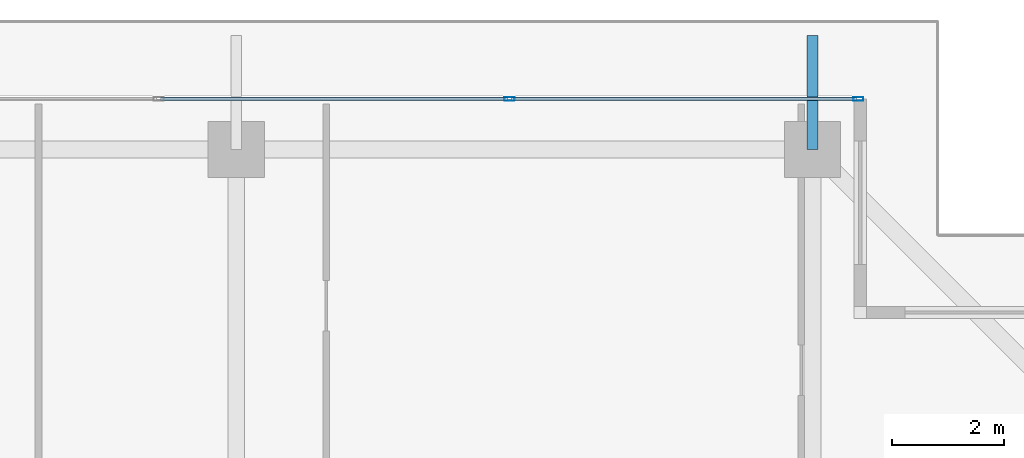
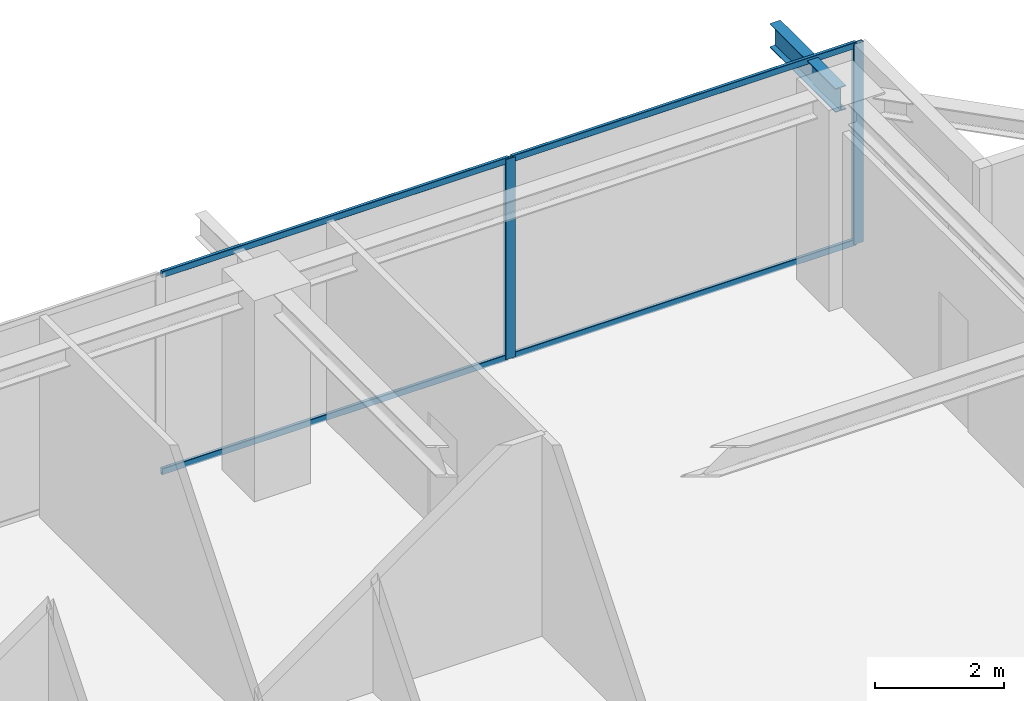
# One storey, part 25 of 38: 6 members, 1 beam, 1 element without a shape of its own.
"""IFC4 building model written with IfcOpenShell, lengths in metres."""

from ifc_helpers import new_model, si_unit, direction, frame, origin, origin_2d, place, context, subcontext, project, spatial, hollow_rectangle, i_section, extrude, source, transform, mapped, material, layer, layer_set, material_profile, profile_set, type_object, element, aggregate, save


model = new_model("IFC4")

# Units and contexts
model_context = context("Model", 3, precision=1e-05, world=origin(), true_north=direction((0.0, 1.0)))
body_context = subcontext(model_context, "Body", "Model", "MODEL_VIEW")
ifc_project = project(units=[si_unit("LENGTHUNIT", "METRE"), si_unit("AREAUNIT", "SQUARE_METRE"), si_unit("VOLUMEUNIT", "CUBIC_METRE"), si_unit("PLANEANGLEUNIT", "RADIAN"), si_unit("MASSUNIT", "GRAM", prefix="KILO")], contexts=[model_context])

# Site, building, storey
site_placement = place(None, origin())
site = spatial("IfcSite", under=ifc_project, at=site_placement, CompositionType="ELEMENT")
building_placement = place(site_placement, origin())
building = spatial("IfcBuilding", under=site, at=building_placement, Name="Serunith Strait Residences", CompositionType="ELEMENT")
storey_placement = place(building_placement, frame((0.0, 0.0, 321.800048828125)))
storey = spatial("IfcBuildingStorey", under=building, at=storey_placement, Name="L80", CompositionType="ELEMENT", Elevation=321.800048828125)

# Beam
ifc_material_1 = material(Name="Steel S355J2", Category="steel")
ifc_material_profile_1 = material_profile(ifc_material_1, i_section(OverallWidth=0.18994140625, OverallDepth=0.449951171875, WebThickness=0.009521484375, FlangeThickness=0.0146484375, FilletRadius=0.02099609375, at=origin_2d()), Name="IPE 450")
ifc_profile_set_1 = profile_set([ifc_material_profile_1], Name="Steel S355J2")
beam_type = type_object("IfcBeamType", Name="BM-IPE450", PredefinedType="JOIST", material=ifc_profile_set_1)
shared_shape_1 = source(origin(), body_context, "Body", "SweptSolid", [
    extrude(i_section(OverallWidth=0.18994140625, OverallDepth=0.449951171875, WebThickness=0.009521484375, FlangeThickness=0.0146484375, FilletRadius=0.02099609375, at=origin_2d()), origin(), (0.0, 0.0, 1.0), 2.02978515625),
])
beam_placement = place(storey_placement, frame((47.14990234375, 47.10009765625, 3.531982421875), z_axis=(0.0, 1.0, 0.0), x_axis=(-1.0, 0.0, 0.0)))
element("IfcBeam", 1, at=beam_placement, inside=storey, type_object=beam_type, Name="L81 Cantilevered Balcony Rib TC-N4", PredefinedType="JOIST", context=body_context, shape_type="MappedRepresentation", body=[
    mapped(shared_shape_1, transform((0.0, 0.0, 0.0), scale=1.0)),
])

# Curtain wall, members
ifc_material_2 = material(Name="Brushed Stainless-Silver Aluminium", Category="aluminium")
ifc_layer = layer(ifc_material_2, 0.199951171875, Name="Brushed Stainless-Silver Aluminium")
ifc_layer_set = layer_set([ifc_layer], Name="Brushed Stainless-Silver Aluminium")
curtain_wall_type = type_object("IfcCurtainWallType", Name="CW-SYS5", PredefinedType="NOTDEFINED", material=ifc_layer_set)
curtain_wall_placement = place(storey_placement, origin())
curtain_wall = element("IfcCurtainWall", 2, at=curtain_wall_placement, inside=storey, type_object=curtain_wall_type, Name="L80 N Unitised Fritted Curtain Wall", PredefinedType="NOTDEFINED")
ifc_material_profile_2 = material_profile(ifc_material_2, hollow_rectangle(XDim=0.06005859375, YDim=0.1201171875, WallThickness=0.00341796875, InnerFilletRadius=0.00537109375, OuterFilletRadius=0.0087890625, at=origin_2d()), Name="ALU 120x60x3.5")
ifc_profile_set_2 = profile_set([ifc_material_profile_2], Name="Brushed Stainless-Silver Aluminium")
member_type_1 = type_object("IfcMemberType", Name="CW-SYS5-TRAN", PredefinedType="USERDEFINED", material=ifc_profile_set_2)
shared_shape_2 = source(origin(), body_context, "Body", "SweptSolid", [
    extrude(hollow_rectangle(XDim=0.06005859375, YDim=0.1201171875, WallThickness=0.00341796875, InnerFilletRadius=0.00537109375, OuterFilletRadius=0.0087890625, at=origin_2d()), origin(), (0.0, 0.0, 1.0), 6.142578125),
])
member_1_placement = place(storey_placement, frame((47.93505859375, 48.0, 0.030029296875), z_axis=(-1.0, 0.0, 0.0), x_axis=(0.0, -1.0, 0.0)))
member_1 = element("IfcMember", 3, at=member_1_placement, type_object=member_type_1, Name="CW-5 transom 1.1", ObjectType="TRANSOM", PredefinedType="USERDEFINED", context=body_context, shape_type="MappedRepresentation", body=[
    mapped(shared_shape_2, transform((0.0, 0.0, 0.0), scale=1.0)),
])
member_2_placement = place(storey_placement, frame((47.93505859375, 48.0, 3.744873046875), z_axis=(-1.0, 0.0, 0.0), x_axis=(0.0, -1.0, 0.0)))
member_2 = element("IfcMember", 4, at=member_2_placement, type_object=member_type_1, Name="CW-5 transom 1.2", ObjectType="TRANSOM", PredefinedType="USERDEFINED", context=body_context, shape_type="MappedRepresentation", body=[
    mapped(shared_shape_2, transform((0.0, 0.0, 0.0), scale=1.0)),
])
shared_shape_3 = source(origin(), body_context, "Body", "SweptSolid", [
    extrude(hollow_rectangle(XDim=0.06005859375, YDim=0.1201171875, WallThickness=0.00341796875, InnerFilletRadius=0.00537109375, OuterFilletRadius=0.0087890625, at=origin_2d()), origin(), (0.0, 0.0, 1.0), 6.175048828125),
])
member_3_placement = place(storey_placement, frame((41.7275390625, 48.0, 0.030029296875), z_axis=(-1.0, 0.0, 0.0), x_axis=(0.0, -1.0, 0.0)))
member_3 = element("IfcMember", 5, at=member_3_placement, type_object=member_type_1, Name="CW-5 transom 2.1", ObjectType="TRANSOM", PredefinedType="USERDEFINED", context=body_context, shape_type="MappedRepresentation", body=[
    mapped(shared_shape_3, transform((0.0, 0.0, 0.0), scale=1.0)),
])
member_4_placement = place(storey_placement, frame((41.7275390625, 48.0, 3.744873046875), z_axis=(-1.0, 0.0, 0.0), x_axis=(0.0, -1.0, 0.0)))
member_4 = element("IfcMember", 6, at=member_4_placement, type_object=member_type_1, Name="CW-5 transom 2.2", ObjectType="TRANSOM", PredefinedType="USERDEFINED", context=body_context, shape_type="MappedRepresentation", body=[
    mapped(shared_shape_3, transform((0.0, 0.0, 0.0), scale=1.0)),
])
ifc_material_profile_3 = material_profile(ifc_material_2, hollow_rectangle(XDim=0.06494140625, YDim=0.179931640625, WallThickness=0.00341796875, InnerFilletRadius=0.00537109375, OuterFilletRadius=0.0087890625, at=origin_2d()), Name="ALU 180x65x3.5")
ifc_profile_set_3 = profile_set([ifc_material_profile_3], Name="Brushed Stainless-Silver Aluminium")
member_type_2 = type_object("IfcMemberType", Name="CW-SYS5-MULL", PredefinedType="MULLION", material=ifc_profile_set_3)
shared_shape_4 = source(origin(), body_context, "Body", "SweptSolid", [
    extrude(hollow_rectangle(XDim=0.06494140625, YDim=0.179931640625, WallThickness=0.00341796875, InnerFilletRadius=0.00537109375, OuterFilletRadius=0.0087890625, at=origin_2d()), origin(), (0.0, 0.0, 1.0), 3.77490234375),
])
member_5_placement = place(storey_placement, frame((47.967529296875, 48.0, 0.0), z_axis=(0.0, 0.0, 1.0), x_axis=(0.0, -1.0, 0.0)))
member_5 = element("IfcMember", 7, at=member_5_placement, type_object=member_type_2, Name="CW-5 mullion 1", PredefinedType="MULLION", context=body_context, shape_type="MappedRepresentation", body=[
    mapped(shared_shape_4, transform((0.0, 0.0, 0.0), scale=1.0)),
])
member_6_placement = place(storey_placement, frame((41.760009765625, 48.0, 0.0), z_axis=(0.0, 0.0, 1.0), x_axis=(0.0, -1.0, 0.0)))
member_6 = element("IfcMember", 8, at=member_6_placement, type_object=member_type_2, Name="CW-5 mullion 2", PredefinedType="MULLION", context=body_context, shape_type="MappedRepresentation", body=[
    mapped(shared_shape_4, transform((0.0, 0.0, 0.0), scale=1.0)),
])
aggregate(curtain_wall, [member_5, member_6, member_1, member_2, member_3, member_4])

save(model, "model.ifc")
